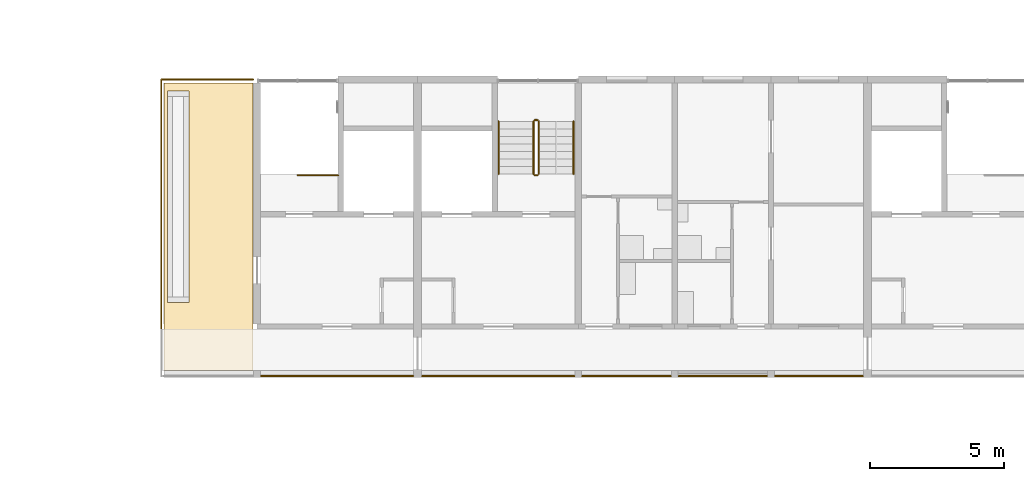
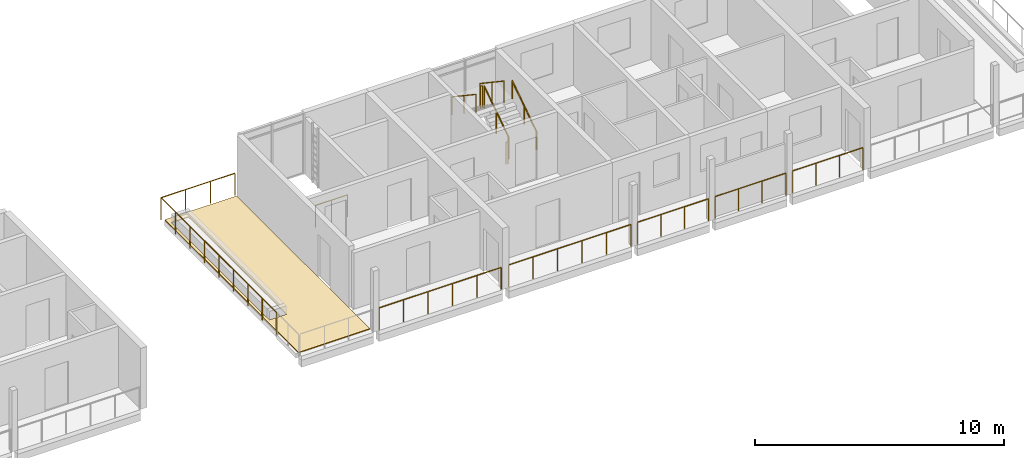
# One storey, part 81 of 87: 13 railings, 2 coverings.
"""IFC4 building model written with IfcOpenShell, lengths in metres."""

from ifc_helpers import new_model, si_unit, direction, frame, origin, origin_2d, place, context, subcontext, project, spatial, polyline, circle, outline, extrude, material, layer, layer_set, type_object, element, save


model = new_model("IFC4")

# Units and contexts
model_context = context("Model", 3, precision=1e-05, world=origin(), true_north=direction((0.0, 1.0)))
body_context = subcontext(model_context, "Body", "Model", "MODEL_VIEW")
ifc_project = project(units=[si_unit("LENGTHUNIT", "METRE"), si_unit("AREAUNIT", "SQUARE_METRE"), si_unit("VOLUMEUNIT", "CUBIC_METRE"), si_unit("PLANEANGLEUNIT", "RADIAN"), si_unit("MASSUNIT", "GRAM", prefix="KILO")], contexts=[model_context])

# Site, building, storey
site_placement = place(None, origin())
site = spatial("IfcSite", under=ifc_project, at=site_placement, CompositionType="ELEMENT")
building_placement = place(site_placement, origin())
building = spatial("IfcBuilding", under=site, at=building_placement, Name="Ridgestep Commons", CompositionType="ELEMENT")
storey_placement = place(building_placement, frame((0.0, 0.0, 27.0)))
storey = spatial("IfcBuildingStorey", under=building, at=storey_placement, Name="L09", CompositionType="ELEMENT", Elevation=27.0)

# Railings
ifc_material_1 = material(Name="Structural steel S355JR", Category="steel")
railing_type_1 = type_object("IfcRailingType", Name="Guard 1100", PredefinedType="GUARDRAIL", material=ifc_material_1)
railing_1_placement = place(storey_placement, frame((170.821044921875, 67.821044921875, 0.0)))
element("IfcRailing", 1, at=railing_1_placement, inside=storey, type_object=railing_type_1, Name="Guard TD-C2R3-GD", PredefinedType="GUARDRAIL", context=body_context, shape_type="SweptSolid", body=[
    extrude(circle(Radius=0.02392578125, at=origin_2d()), frame((0.0, 0.0, 1.076171875), z_axis=(0.0, 1.0, 0.0), x_axis=(-1.0, 0.0, 0.0)), (0.0, 0.0, 1.0), 9.303955078125),
    extrude(circle(Radius=0.02392578125, at=origin_2d()), frame((0.0, 9.303955078125, 1.076171875), z_axis=(1.0, 0.0, 0.0), x_axis=(0.0, 1.0, 0.0)), (0.0, 0.0, 1.0), 3.432861328125),
    extrude(circle(Radius=0.02099609375, at=origin_2d()), origin(), (0.0, 0.0, 1.0), 1.052001953125),
    extrude(circle(Radius=0.02099609375, at=origin_2d()), frame((0.0, 1.1630859375, 0.0)), (0.0, 0.0, 1.0), 1.052001953125),
    extrude(circle(Radius=0.02099609375, at=origin_2d()), frame((0.0, 2.325927734375, 0.0)), (0.0, 0.0, 1.0), 1.052001953125),
    extrude(circle(Radius=0.02099609375, at=origin_2d()), frame((0.0, 3.489013671875, 0.0)), (0.0, 0.0, 1.0), 1.052001953125),
    extrude(circle(Radius=0.02099609375, at=origin_2d()), frame((0.0, 4.65185546875, 0.0)), (0.0, 0.0, 1.0), 1.052001953125),
    extrude(circle(Radius=0.02099609375, at=origin_2d()), frame((0.0, 5.81494140625, 0.0)), (0.0, 0.0, 1.0), 1.052001953125),
    extrude(circle(Radius=0.02099609375, at=origin_2d()), frame((0.0, 6.97802734375, 0.0)), (0.0, 0.0, 1.0), 1.052001953125),
    extrude(circle(Radius=0.02099609375, at=origin_2d()), frame((0.0, 8.140869140625, 0.0)), (0.0, 0.0, 1.0), 1.052001953125),
    extrude(circle(Radius=0.02099609375, at=origin_2d()), frame((0.0, 9.303955078125, 0.0)), (0.0, 0.0, 1.0), 1.052001953125),
    extrude(circle(Radius=0.02099609375, at=origin_2d()), frame((1.144287109375, 9.303955078125, 0.0)), (0.0, 0.0, 1.0), 1.052001953125),
    extrude(circle(Radius=0.02099609375, at=origin_2d()), frame((2.28857421875, 9.303955078125, 0.0)), (0.0, 0.0, 1.0), 1.052001953125),
    extrude(circle(Radius=0.02099609375, at=origin_2d()), frame((3.432861328125, 9.303955078125, 0.0)), (0.0, 0.0, 1.0), 1.052001953125),
])
railing_2_placement = place(storey_placement, frame((174.5458984375, 66.050048828125, 0.0)))
element("IfcRailing", 2, at=railing_2_placement, inside=storey, type_object=railing_type_1, Name="Gallery guard C 09.2", PredefinedType="GUARDRAIL", context=body_context, shape_type="SweptSolid", body=[
    extrude(circle(Radius=0.02392578125, at=origin_2d()), frame((0.0, 0.0, 1.076171875), z_axis=(1.0, 0.0, 0.0), x_axis=(0.0, 1.0, 0.0)), (0.0, 0.0, 1.0), 5.68310546875),
    extrude(circle(Radius=0.02099609375, at=origin_2d()), origin(), (0.0, 0.0, 1.0), 1.052001953125),
    extrude(circle(Radius=0.02099609375, at=origin_2d()), frame((1.13671875, 0.0, 0.0)), (0.0, 0.0, 1.0), 1.052001953125),
    extrude(circle(Radius=0.02099609375, at=origin_2d()), frame((2.273193359375, 0.0, 0.0)), (0.0, 0.0, 1.0), 1.052001953125),
    extrude(circle(Radius=0.02099609375, at=origin_2d()), frame((3.409912109375, 0.0, 0.0)), (0.0, 0.0, 1.0), 1.052001953125),
    extrude(circle(Radius=0.02099609375, at=origin_2d()), frame((4.54638671875, 0.0, 0.0)), (0.0, 0.0, 1.0), 1.052001953125),
    extrude(circle(Radius=0.02099609375, at=origin_2d()), frame((5.68310546875, 0.0, 0.0)), (0.0, 0.0, 1.0), 1.052001953125),
])
railing_3_placement = place(storey_placement, frame((180.571044921875, 66.050048828125, 0.0)))
element("IfcRailing", 3, at=railing_3_placement, inside=storey, type_object=railing_type_1, Name="Gallery guard C 09.3", PredefinedType="GUARDRAIL", context=body_context, shape_type="SweptSolid", body=[
    extrude(circle(Radius=0.02392578125, at=origin_2d()), frame((0.0, 0.0, 1.076171875), z_axis=(1.0, 0.0, 0.0), x_axis=(0.0, 1.0, 0.0)), (0.0, 0.0, 1.0), 5.682861328125),
    extrude(circle(Radius=0.02099609375, at=origin_2d()), origin(), (0.0, 0.0, 1.0), 1.052001953125),
    extrude(circle(Radius=0.02099609375, at=origin_2d()), frame((1.136474609375, 0.0, 0.0)), (0.0, 0.0, 1.0), 1.052001953125),
    extrude(circle(Radius=0.02099609375, at=origin_2d()), frame((2.273193359375, 0.0, 0.0)), (0.0, 0.0, 1.0), 1.052001953125),
    extrude(circle(Radius=0.02099609375, at=origin_2d()), frame((3.40966796875, 0.0, 0.0)), (0.0, 0.0, 1.0), 1.052001953125),
    extrude(circle(Radius=0.02099609375, at=origin_2d()), frame((4.54638671875, 0.0, 0.0)), (0.0, 0.0, 1.0), 1.052001953125),
    extrude(circle(Radius=0.02099609375, at=origin_2d()), frame((5.682861328125, 0.0, 0.0)), (0.0, 0.0, 1.0), 1.052001953125),
])
for number, where, name in (
    (4, (186.5458984375, 66.050048828125, 0.0), "Gallery guard C 09.4"),
    (5, (190.14599609375, 66.050048828125, 0.0), "Gallery guard C 09.5"),
):
    element("IfcRailing", number, at=place(storey_placement, frame(where)), inside=storey, type_object=railing_type_1, Name=name, PredefinedType="GUARDRAIL", context=body_context, shape_type="SweptSolid", body=[
        extrude(circle(Radius=0.02392578125, at=origin_2d()), frame((0.0, 0.0, 1.076171875), z_axis=(1.0, 0.0, 0.0), x_axis=(0.0, 1.0, 0.0)), (0.0, 0.0, 1.0), 3.30810546875),
        extrude(circle(Radius=0.02099609375, at=origin_2d()), origin(), (0.0, 0.0, 1.0), 1.052001953125),
        extrude(circle(Radius=0.02099609375, at=origin_2d()), frame((1.102783203125, 0.0, 0.0)), (0.0, 0.0, 1.0), 1.052001953125),
        extrude(circle(Radius=0.02099609375, at=origin_2d()), frame((2.205322265625, 0.0, 0.0)), (0.0, 0.0, 1.0), 1.052001953125),
        extrude(circle(Radius=0.02099609375, at=origin_2d()), frame((3.30810546875, 0.0, 0.0)), (0.0, 0.0, 1.0), 1.052001953125),
    ])
railing_4_placement = place(storey_placement, frame((193.74609375, 66.050048828125, 0.0)))
element("IfcRailing", 6, at=railing_4_placement, inside=storey, type_object=railing_type_1, Name="Gallery guard C 09.6", PredefinedType="GUARDRAIL", context=body_context, shape_type="SweptSolid", body=[
    extrude(circle(Radius=0.02392578125, at=origin_2d()), frame((0.0, 0.0, 1.076171875), z_axis=(1.0, 0.0, 0.0), x_axis=(0.0, 1.0, 0.0)), (0.0, 0.0, 1.0), 3.282958984375),
    extrude(circle(Radius=0.02099609375, at=origin_2d()), origin(), (0.0, 0.0, 1.0), 1.052001953125),
    extrude(circle(Radius=0.02099609375, at=origin_2d()), frame((1.09423828125, 0.0, 0.0)), (0.0, 0.0, 1.0), 1.052001953125),
    extrude(circle(Radius=0.02099609375, at=origin_2d()), frame((2.188720703125, 0.0, 0.0)), (0.0, 0.0, 1.0), 1.052001953125),
    extrude(circle(Radius=0.02099609375, at=origin_2d()), frame((3.282958984375, 0.0, 0.0)), (0.0, 0.0, 1.0), 1.052001953125),
])
ifc_material_2 = material(Name="Structural steel S355JR", Category="steel")
railing_type_2 = type_object("IfcRailingType", Name="Stair guard 1100", PredefinedType="GUARDRAIL", material=ifc_material_2)
railing_5_placement = place(storey_placement, frame((177.425048828125, 73.550048828125, 0.0)))
element("IfcRailing", 7, at=railing_5_placement, inside=storey, type_object=railing_type_2, Name="L09 C2C top well guard 1", PredefinedType="GUARDRAIL", context=body_context, shape_type="SweptSolid", body=[
    extrude(circle(Radius=0.02392578125, at=origin_2d()), frame((0.0, 0.0, 1.076171875), z_axis=(-1.0, 0.0, 0.0), x_axis=(0.0, -1.0, 0.0)), (0.0, 0.0, 1.0), 1.5),
    extrude(circle(Radius=0.02099609375, at=origin_2d()), origin(), (0.0, 0.0, 1.0), 1.052001953125),
    extrude(circle(Radius=0.02099609375, at=origin_2d()), frame((-0.75, 0.0, 0.0)), (0.0, 0.0, 1.0), 1.052001953125),
    extrude(circle(Radius=0.02099609375, at=origin_2d()), frame((-1.5, 0.0, 0.0)), (0.0, 0.0, 1.0), 1.052001953125),
])
railing_6_placement = place(storey_placement, frame((184.925048828125, 73.60009765625, 0.1875)))
element("IfcRailing", 8, at=railing_6_placement, inside=storey, type_object=railing_type_2, Name="L09 C3C stair guard 1", PredefinedType="GUARDRAIL", context=body_context, shape_type="SweptSolid", body=[
    extrude(circle(Radius=0.02392578125, at=origin_2d()), frame((0.0, 0.0, 1.076171875), z_axis=(0.0, 0.830902050051, 0.556418712142), x_axis=(-1.0, 0.0, 0.0)), (0.0, 0.0, 1.0), 2.35888671875),
    extrude(circle(Radius=0.02099609375, at=origin_2d()), origin(), (0.0, 0.0, 1.0), 1.052001953125),
    extrude(circle(Radius=0.02099609375, at=origin_2d()), frame((0.0, 0.97998046875, 0.65625)), (0.0, 0.0, 1.0), 1.052001953125),
    extrude(circle(Radius=0.02099609375, at=origin_2d()), frame((0.0, 1.9599609375, 1.3125)), (0.0, 0.0, 1.0), 1.052001953125),
])
railing_7_placement = place(storey_placement, frame((184.875, 75.610107421875, 1.5)))
element("IfcRailing", 9, at=railing_7_placement, inside=storey, type_object=railing_type_2, Name="L09 C3C stair guard 2", PredefinedType="GUARDRAIL", context=body_context, shape_type="SweptSolid", body=[
    extrude(circle(Radius=0.02392578125, at=origin_2d()), frame((0.0, 0.0, 1.076171875), z_axis=(-1.0, 0.0, 0.0), x_axis=(0.0, -1.0, 0.0)), (0.0, 0.0, 1.0), 0.10009765625),
    extrude(circle(Radius=0.02099609375, at=origin_2d()), origin(), (0.0, 0.0, 1.0), 1.052001953125),
    extrude(circle(Radius=0.02099609375, at=origin_2d()), frame((-0.10009765625, 0.0, 0.0)), (0.0, 0.0, 1.0), 1.052001953125),
])
railing_8_placement = place(storey_placement, frame((184.72509765625, 75.56005859375, 1.6875)))
element("IfcRailing", 10, at=railing_8_placement, inside=storey, type_object=railing_type_2, Name="L09 C3C stair guard 3", PredefinedType="GUARDRAIL", context=body_context, shape_type="SweptSolid", body=[
    extrude(circle(Radius=0.02392578125, at=origin_2d()), frame((0.0, 0.0, 1.076171875), z_axis=(0.0, -0.830902050051, 0.556418712142), x_axis=(1.0, 0.0, 0.0)), (0.0, 0.0, 1.0), 2.35888671875),
    extrude(circle(Radius=0.02099609375, at=origin_2d()), origin(), (0.0, 0.0, 1.0), 1.052001953125),
    extrude(circle(Radius=0.02099609375, at=origin_2d()), frame((0.0, -0.97998046875, 0.65625)), (0.0, 0.0, 1.0), 1.052001953125),
    extrude(circle(Radius=0.02099609375, at=origin_2d()), frame((0.0, -1.9599609375, 1.3125)), (0.0, 0.0, 1.0), 1.052001953125),
])
railing_9_placement = place(storey_placement, frame((184.875, 73.550048828125, 0.0)))
element("IfcRailing", 11, at=railing_9_placement, inside=storey, type_object=railing_type_2, Name="L09 C3C stair guard 4", PredefinedType="GUARDRAIL", context=body_context, shape_type="SweptSolid", body=[
    extrude(circle(Radius=0.02392578125, at=origin_2d()), frame((0.0, 0.0, 1.076171875), z_axis=(-1.0, 0.0, 0.0), x_axis=(0.0, -1.0, 0.0)), (0.0, 0.0, 1.0), 0.10009765625),
    extrude(circle(Radius=0.02099609375, at=origin_2d()), origin(), (0.0, 0.0, 1.0), 1.052001953125),
    extrude(circle(Radius=0.02099609375, at=origin_2d()), frame((-0.10009765625, 0.0, 0.0)), (0.0, 0.0, 1.0), 1.052001953125),
])
ifc_material_3 = material(Name="Structural steel S355JR", Category="steel")
railing_type_3 = type_object("IfcRailingType", Name="Stair handrail 900", PredefinedType="HANDRAIL", material=ifc_material_3)
railing_10_placement = place(storey_placement, frame((186.22509765625, 73.60009765625, 0.1875)))
element("IfcRailing", 12, at=railing_10_placement, inside=storey, type_object=railing_type_3, Name="L09 C3C stair handrail 1", PredefinedType="HANDRAIL", context=body_context, shape_type="SweptSolid", body=[
    extrude(circle(Radius=0.02392578125, at=origin_2d()), frame((0.0, 0.0, 0.8759765625), z_axis=(0.0, 0.830902050051, 0.556418712142), x_axis=(-1.0, 0.0, 0.0)), (0.0, 0.0, 1.0), 2.35888671875),
    extrude(circle(Radius=0.02099609375, at=origin_2d()), origin(), (0.0, 0.0, 1.0), 0.851806640625),
    extrude(circle(Radius=0.02099609375, at=origin_2d()), frame((0.0, 0.97998046875, 0.65625)), (0.0, 0.0, 1.0), 0.851806640625),
    extrude(circle(Radius=0.02099609375, at=origin_2d()), frame((0.0, 1.9599609375, 1.3125)), (0.0, 0.0, 1.0), 0.851806640625),
])
railing_11_placement = place(storey_placement, frame((183.425048828125, 75.56005859375, 1.6875)))
element("IfcRailing", 13, at=railing_11_placement, inside=storey, type_object=railing_type_3, Name="L09 C3C stair handrail 2", PredefinedType="HANDRAIL", context=body_context, shape_type="SweptSolid", body=[
    extrude(circle(Radius=0.02392578125, at=origin_2d()), frame((0.0, 0.0, 0.8759765625), z_axis=(0.0, -0.830902050051, 0.556418712142), x_axis=(1.0, 0.0, 0.0)), (0.0, 0.0, 1.0), 2.35888671875),
    extrude(circle(Radius=0.02099609375, at=origin_2d()), origin(), (0.0, 0.0, 1.0), 0.851806640625),
    extrude(circle(Radius=0.02099609375, at=origin_2d()), frame((0.0, -0.97998046875, 0.65625)), (0.0, 0.0, 1.0), 0.851806640625),
    extrude(circle(Radius=0.02099609375, at=origin_2d()), frame((0.0, -1.9599609375, 1.3125)), (0.0, 0.0, 1.0), 0.851806640625),
])

# Coverings
ifc_material_4 = material(Name="Bitumen membrane, two layer")
ifc_layer_1 = layer(ifc_material_4, 0.010009765625)
ifc_layer_set_1 = layer_set([ifc_layer_1], Name="Terrace membrane 10")
covering_type_1 = type_object("IfcCoveringType", Name="Terrace membrane 10", PredefinedType="ROOFING", material=ifc_layer_set_1)
covering_1_placement = place(storey_placement, origin())
element("IfcCovering", 14, at=covering_1_placement, inside=storey, type_object=covering_type_1, Name="Terrace membrane C2R3", PredefinedType="ROOFING", context=body_context, shape_type="SweptSolid", body=[
    extrude(outline(polyline([(174.25, 66.25), (174.25, 77.0), (170.925048828125, 77.0), (170.925048828125, 66.25), (174.25, 66.25)]), holes=[polyline([(171.85009765625, 68.800048828125), (171.85009765625, 76.699951171875), (171.050048828125, 76.699951171875), (171.050048828125, 68.800048828125), (171.85009765625, 68.800048828125)])]), origin(), (0.0, 0.0, 1.0), 0.010009765625),
])
ifc_material_5 = material(Name="Concrete paving slab", Category="concrete")
ifc_layer_2 = layer(ifc_material_5, 0.030029296875)
ifc_layer_set_2 = layer_set([ifc_layer_2], Name="Terrace paving 30")
covering_type_2 = type_object("IfcCoveringType", Name="Terrace paving 30", PredefinedType="FLOORING", material=ifc_layer_set_2)
covering_2_placement = place(storey_placement, frame((0.0, 0.0, 0.010009765625)))
element("IfcCovering", 15, at=covering_2_placement, inside=storey, type_object=covering_type_2, Name="Terrace paving C2R3", PredefinedType="FLOORING", context=body_context, shape_type="SweptSolid", body=[
    extrude(outline(polyline([(174.25, 66.25), (174.25, 77.0), (170.925048828125, 77.0), (170.925048828125, 66.25), (174.25, 66.25)]), holes=[polyline([(171.85009765625, 68.800048828125), (171.85009765625, 76.699951171875), (171.050048828125, 76.699951171875), (171.050048828125, 68.800048828125), (171.85009765625, 68.800048828125)])]), origin(), (0.0, 0.0, 1.0), 0.030029296875),
])

save(model, "model.ifc")
